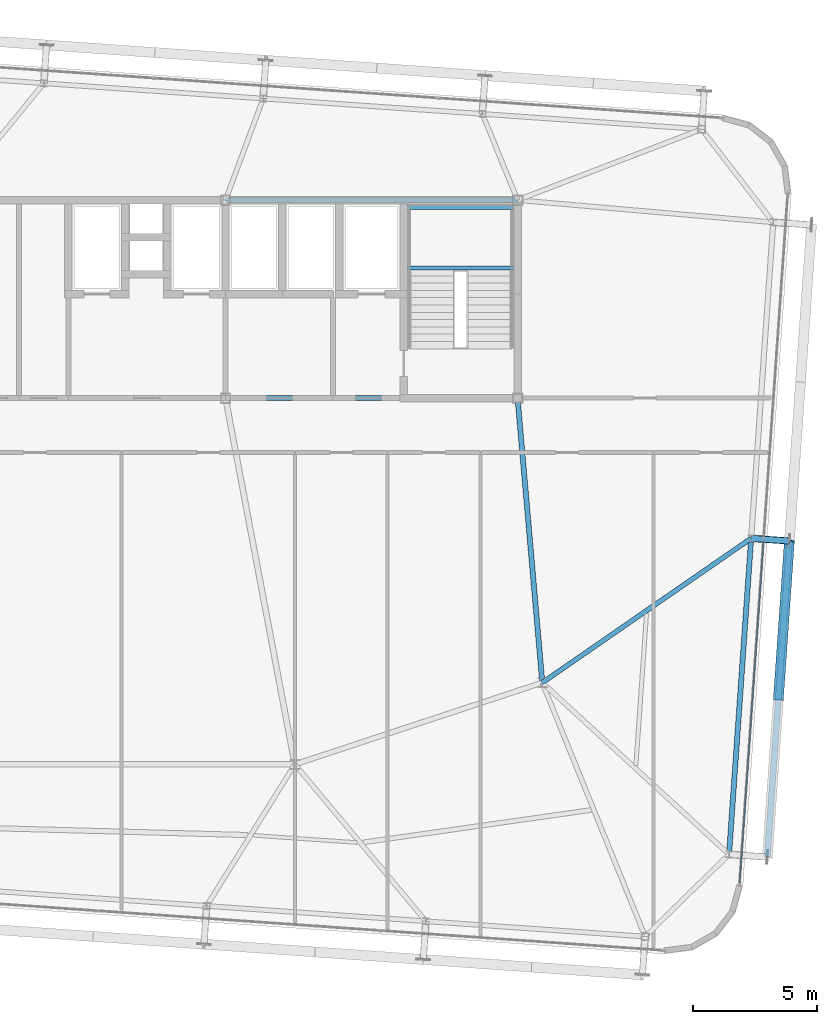
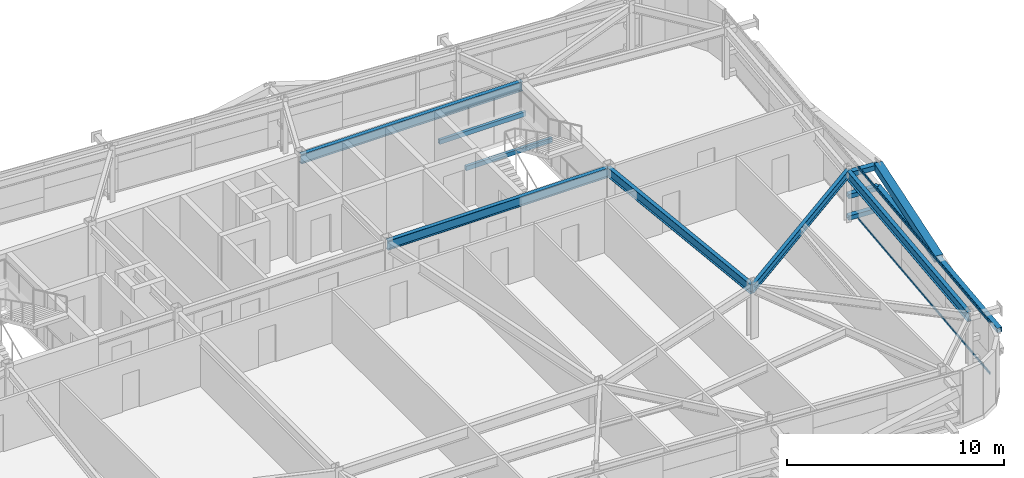
# One storey, part 16 of 39: 7 beams, 7 members, 1 element without a shape of its own.
"""IFC4 building model written with IfcOpenShell, lengths in metres."""

from ifc_helpers import new_model, si_unit, direction, frame, origin, origin_2d, place, context, subcontext, project, spatial, hollow_rectangle, i_section, extrude, source, transform, mapped, material, layer, layer_set, material_profile, profile_set, type_object, element, aggregate, save


model = new_model("IFC4")

# Units and contexts
model_context = context("Model", 3, precision=1e-05, world=origin(), true_north=direction((0.0, 1.0)))
body_context = subcontext(model_context, "Body", "Model", "MODEL_VIEW")
ifc_project = project(units=[si_unit("LENGTHUNIT", "METRE"), si_unit("AREAUNIT", "SQUARE_METRE"), si_unit("VOLUMEUNIT", "CUBIC_METRE"), si_unit("PLANEANGLEUNIT", "RADIAN"), si_unit("MASSUNIT", "GRAM", prefix="KILO")], contexts=[model_context])

# Site, building, storey
site_placement = place(None, origin())
site = spatial("IfcSite", under=ifc_project, at=site_placement, CompositionType="ELEMENT")
building_placement = place(site_placement, origin())
building = spatial("IfcBuilding", under=site, at=building_placement, Name="Taldren Reach Tower", CompositionType="ELEMENT")
storey_placement = place(building_placement, frame((0.0, 0.0, 151.89990234375)))
storey = spatial("IfcBuildingStorey", under=building, at=storey_placement, Name="L46", CompositionType="ELEMENT", Elevation=151.89990234375)

# Beams
ifc_material_1 = material(Name="Steel Gr 350 (350PLUS)", Category="steel")
ifc_material_profile_1 = material_profile(ifc_material_1, i_section(OverallWidth=0.208984375, OverallDepth=0.532958984375, WebThickness=0.01025390625, FlangeThickness=0.015625, at=origin_2d()), Name="530UB92.4")
ifc_profile_set_1 = profile_set([ifc_material_profile_1], Name="Steel Gr 350 (350PLUS)")
beam_type_1 = type_object("IfcBeamType", Name="BM-UB530A", PredefinedType="BEAM", material=ifc_profile_set_1)
shared_shape_1 = source(origin(), body_context, "Body", "SweptSolid", [
    extrude(i_section(OverallWidth=0.208984375, OverallDepth=0.532958984375, WebThickness=0.01025390625, FlangeThickness=0.015625, at=origin_2d()), origin(), (0.0, 0.0, 1.0), 11.800048828125),
])
for number, where, z_axis, x_axis, name in (
    (1, (39.199951171875, 24.0, 2.66357421875), (1.0, 0.0, 0.0), (0.0, 1.0, 0.0), "Core-spine girder L46-SP03"),
    (2, (39.199951171875, 32.0, 2.66357421875), (1.0, 0.0, 0.0), (0.0, 1.0, 0.0), "Core-spine girder L46-SP06"),
):
    element("IfcBeam", number, at=place(storey_placement, frame(where, z_axis=z_axis, x_axis=x_axis)), inside=storey, type_object=beam_type_1, Name=name, PredefinedType="BEAM", context=body_context, shape_type="MappedRepresentation", body=[
        mapped(shared_shape_1, transform((0.0, 0.0, 0.0), scale=1.0)),
    ])
shared_shape_2 = source(origin(), body_context, "Body", "SweptSolid", [
    extrude(i_section(OverallWidth=0.208984375, OverallDepth=0.532958984375, WebThickness=0.01025390625, FlangeThickness=0.015625, at=origin_2d()), origin(), (0.0, 0.0, 1.0), 11.54345703125),
])
beam_1_placement = place(storey_placement, frame((52.0, 12.5, 2.66357421875), z_axis=(-0.086629616365, 0.996240588196, 0.0), x_axis=(-0.996240588196, -0.086629616365, 0.0)))
element("IfcBeam", 3, at=beam_1_placement, inside=storey, type_object=beam_type_1, Name="Core-spine girder L46-SP13", PredefinedType="BEAM", context=body_context, shape_type="MappedRepresentation", body=[
    mapped(shared_shape_2, transform((0.0, 0.0, 0.0), scale=1.0)),
])

# Members
ifc_material_2 = material(Name="Steel Gr 450 (C450L0)", Category="steel")
ifc_material_profile_2 = material_profile(ifc_material_2, hollow_rectangle(XDim=0.27490234375, YDim=0.27490234375, WallThickness=0.00927734375, at=origin_2d()), Name="275x275x9.3SHS")
ifc_profile_set_2 = profile_set([ifc_material_profile_2], Name="Steel Gr 450 (C450L0)")
member_type_1 = type_object("IfcMemberType", Name="MB-TIE273", PredefinedType="STRUT", material=ifc_profile_set_2)
shared_shape_3 = source(origin(), body_context, "Body", "SweptSolid", [
    extrude(hollow_rectangle(XDim=0.27490234375, YDim=0.27490234375, WallThickness=0.00927734375, at=origin_2d()), origin(), (0.0, 0.0, 1.0), 1.5498046875),
])
member_1_placement = place(storey_placement, frame((60.438232421875, 18.331787109375, 2.650146484375), z_axis=(0.997562367434, -0.069780535098, 0.0), x_axis=(0.069780535098, 0.997562367434, 0.0)))
element("IfcMember", 4, at=member_1_placement, inside=storey, type_object=member_type_1, Name="Exoskeleton diaphragm tie strut B3-E2 L46", PredefinedType="STRUT", context=body_context, shape_type="MappedRepresentation", body=[
    mapped(shared_shape_3, transform((0.0, 0.0, 0.0), scale=1.0)),
])
ifc_material_3 = material(Name="Steel Gr 350 (C350L0)", Category="steel")
ifc_material_profile_3 = material_profile(ifc_material_3, hollow_rectangle(XDim=0.25, YDim=0.25, WallThickness=0.010009765625, at=origin_2d()), Name="250x250x10.0SHS")
ifc_profile_set_3 = profile_set([ifc_material_profile_3], Name="Steel Gr 350 (C350L0)")
member_type_2 = type_object("IfcMemberType", Name="MB-POST250", PredefinedType="POST", material=ifc_profile_set_3)
shared_shape_4 = source(origin(), body_context, "Body", "SweptSolid", [
    extrude(hollow_rectangle(XDim=0.25, YDim=0.25, WallThickness=0.010009765625, at=origin_2d()), origin(), (0.0, 0.0, 1.0), 1.5498046875),
])
for number, where, z_axis, x_axis, name in (
    (5, (60.438232421875, 18.331787109375, 0.22021484375), (0.997562367434, -0.069780535098, 0.0), (0.069780535098, 0.997562367434, 0.0), "Exoskeleton base diaphragm tie strut B3-E2 L46"),
    (6, (60.438232421875, 18.331787109375, 1.43505859375), (0.997562367434, -0.069780535098, 0.0), (0.069780535098, 0.997562367434, 0.0), "Exoskeleton mid-tier diaphragm tie B3-E2 L46"),
):
    element("IfcMember", number, at=place(storey_placement, frame(where, z_axis=z_axis, x_axis=x_axis)), inside=storey, type_object=member_type_2, Name=name, PredefinedType="POST", context=body_context, shape_type="MappedRepresentation", body=[
        mapped(shared_shape_4, transform((0.0, 0.0, 0.0), scale=1.0)),
    ])

# Beams
ifc_material_profile_4 = material_profile(ifc_material_1, i_section(OverallWidth=0.208984375, OverallDepth=0.528076171875, WebThickness=0.009521484375, FlangeThickness=0.01318359375, at=origin_2d()), Name="530UB82.0")
ifc_profile_set_4 = profile_set([ifc_material_profile_4], Name="Steel Gr 350 (350PLUS)")
beam_type_2 = type_object("IfcBeamType", Name="SP-UB530B", PredefinedType="SPANDREL", material=ifc_profile_set_4)
shared_shape_5 = source(origin(), body_context, "Body", "SweptSolid", [
    extrude(i_section(OverallWidth=0.208984375, OverallDepth=0.528076171875, WebThickness=0.009521484375, FlangeThickness=0.01318359375, at=origin_2d()), origin(), (0.0, 0.0, 1.0), 12.80029296875),
])
beam_2_placement = place(storey_placement, frame((59.54541015625, 5.562744140625, 2.666015625), z_axis=(0.069750549628, 0.997564464497, 0.0), x_axis=(-0.997564464497, 0.069750549628, 0.0)))
element("IfcBeam", 7, at=beam_2_placement, inside=storey, type_object=beam_type_2, Name="Perimeter spandrel B3 E1-E2 L46", PredefinedType="SPANDREL", context=body_context, shape_type="MappedRepresentation", body=[
    mapped(shared_shape_5, transform((0.0, 0.0, 0.0), scale=1.0)),
])
ifc_material_profile_5 = material_profile(ifc_material_1, i_section(OverallWidth=0.19091796875, OverallDepth=0.4599609375, WebThickness=0.010009765625, FlangeThickness=0.01611328125, at=origin_2d()), Name="460UB82.1")
ifc_profile_set_5 = profile_set([ifc_material_profile_5], Name="Steel Gr 350 (350PLUS)")
beam_type_3 = type_object("IfcBeamType", Name="BM-UB460A", PredefinedType="BEAM", material=ifc_profile_set_5)
shared_shape_6 = source(origin(), body_context, "Body", "SweptSolid", [
    extrude(i_section(OverallWidth=0.19091796875, OverallDepth=0.4599609375, WebThickness=0.010009765625, FlangeThickness=0.01611328125, at=origin_2d()), origin(), (0.0, 0.0, 1.0), 10.25732421875),
])
beam_3_placement = place(storey_placement, frame((52.0, 12.5, 2.7001953125), z_axis=(0.822651197727, 0.568546398175, 0.0), x_axis=(-0.568546398175, 0.822651197727, 0.0)))
element("IfcBeam", 8, at=beam_3_placement, inside=storey, type_object=beam_type_3, Name="Primary floor girder B3-E2 L46", PredefinedType="BEAM", context=body_context, shape_type="MappedRepresentation", body=[
    mapped(shared_shape_6, transform((0.0, 0.0, 0.0), scale=1.0)),
])

# Members
shared_shape_7 = source(origin(), body_context, "Body", "SweptSolid", [
    extrude(hollow_rectangle(XDim=0.25, YDim=0.25, WallThickness=0.010009765625, at=origin_2d()), origin(), (0.0, 0.0, 1.0), 12.800048828125),
])
member_2_placement = place(storey_placement, frame((61.091552734375, 5.454833984375, 1.43505859375), z_axis=(0.069751876777, 0.9975643717, 0.0), x_axis=(-0.9975643717, 0.069751876777, 0.0)))
element("IfcMember", 9, at=member_2_placement, inside=storey, type_object=member_type_2, Name="Exoskeleton mid-height ring chord B3-E1 L46", PredefinedType="POST", context=body_context, shape_type="MappedRepresentation", body=[
    mapped(shared_shape_7, transform((0.0, 0.0, 0.0), scale=1.0)),
])
ifc_material_profile_6 = material_profile(ifc_material_2, hollow_rectangle(XDim=0.409912109375, YDim=0.409912109375, WallThickness=0.01611328125, at=origin_2d()), Name="410x410x16.0SHS")
ifc_profile_set_6 = profile_set([ifc_material_profile_6], Name="Steel Gr 450 (C450L0)")
member_type_3 = type_object("IfcMemberType", Name="MB-EXO406", PredefinedType="BRACE", material=ifc_profile_set_6)
shared_shape_8 = source(origin(), body_context, "Body", "SweptSolid", [
    extrude(hollow_rectangle(XDim=0.409912109375, YDim=0.409912109375, WallThickness=0.01611328125, at=origin_2d()), origin(), (0.0, 0.0, 1.0), 6.514404296875),
])
member_3_placement = place(storey_placement, frame((61.5380859375, 11.839111328125, 1.43505859375), z_axis=(0.068507825937, 0.980059166346, 0.186522674885), x_axis=(-0.997565791441, 0.069731569223, 0.0)))
element("IfcMember", 10, at=member_3_placement, inside=storey, type_object=member_type_3, Name="Exoskeleton Diagrid Brace B3-E1 L46", PredefinedType="BRACE", context=body_context, shape_type="MappedRepresentation", body=[
    mapped(shared_shape_8, transform((0.0, 0.0, 0.0), scale=1.0)),
])

# Curtain wall, members
ifc_material_4 = material(Name="Aluminium and Low-E Glass Unitised System", Category="aluminium")
ifc_layer = layer(ifc_material_4, 0.159912109375)
ifc_layer_set = layer_set([ifc_layer], Name="Aluminium and Low-E Glass Unitised System")
curtain_wall_type = type_object("IfcCurtainWallType", Name="CW-SYS-4", PredefinedType="NOTDEFINED", material=ifc_layer_set)
curtain_wall_placement = place(storey_placement, origin())
curtain_wall = element("IfcCurtainWall", 11, at=curtain_wall_placement, inside=storey, type_object=curtain_wall_type, Name="Unitised curtain wall CW-L46-E", PredefinedType="NOTDEFINED")
ifc_material_5 = material(Name="Anodised Aluminium 6063-T6", Category="aluminium")
ifc_material_profile_7 = material_profile(ifc_material_5, hollow_rectangle(XDim=0.054931640625, YDim=0.1201171875, WallThickness=0.0029296875, at=origin_2d()), Name="ALU-120x55x3RHS")
ifc_profile_set_7 = profile_set([ifc_material_profile_7], Name="Anodised Aluminium 6063-T6")
member_type_4 = type_object("IfcMemberType", Name="CW-TRN-135", PredefinedType="USERDEFINED", material=ifc_profile_set_7)
shared_shape_9 = source(origin(), body_context, "Body", "SweptSolid", [
    extrude(hollow_rectangle(XDim=0.054931640625, YDim=0.1201171875, WallThickness=0.0029296875, at=origin_2d()), origin(), (0.0, 0.0, 1.0), 13.89501953125),
])
member_4_placement = place(storey_placement, frame((59.975341796875, 4.400146484375, 0.027587890625), z_axis=(0.069754817075, 0.997564166104, 0.0), x_axis=(-0.997564166104, 0.069754817075, 0.0)))
member_4 = element("IfcMember", 12, at=member_4_placement, type_object=member_type_4, Name="CW-4 transom 1.1", ObjectType="TRANSOM", PredefinedType="USERDEFINED", context=body_context, shape_type="MappedRepresentation", body=[
    mapped(shared_shape_9, transform((0.0, 0.0, 0.0), scale=1.0)),
])
member_5_placement = place(storey_placement, frame((59.975341796875, 4.400146484375, 2.902587890625), z_axis=(0.069754817075, 0.997564166104, 0.0), x_axis=(-0.997564166104, 0.069754817075, 0.0)))
member_5 = element("IfcMember", 13, at=member_5_placement, type_object=member_type_4, Name="CW-4 transom 1.2", ObjectType="TRANSOM", PredefinedType="USERDEFINED", context=body_context, shape_type="MappedRepresentation", body=[
    mapped(shared_shape_9, transform((0.0, 0.0, 0.0), scale=1.0)),
])
aggregate(curtain_wall, [member_4, member_5])

# Beams
ifc_material_profile_8 = material_profile(ifc_material_3, hollow_rectangle(XDim=0.14990234375, YDim=0.25, WallThickness=0.009033203125, at=origin_2d()), Name="250x150x9.0RHS")
ifc_profile_set_8 = profile_set([ifc_material_profile_8], Name="Steel Gr 350 (C350L0)")
beam_type_4 = type_object("IfcBeamType", Name="LN-RHS250", PredefinedType="LINTEL", material=ifc_profile_set_8)
shared_shape_10 = source(origin(), body_context, "Body", "SweptSolid", [
    extrude(hollow_rectangle(XDim=0.14990234375, YDim=0.25, WallThickness=0.009033203125, at=origin_2d()), origin(), (0.0, 0.0, 1.0), 4.60009765625),
])
for number, where, z_axis, x_axis, name in (
    (14, (46.39990234375, 29.2548828125, 1.27001953125), (1.0, 0.0, 0.0), (0.0, 1.0, 0.0), "Stair half-landing support beam ST2-L46-1"),
    (15, (46.39990234375, 31.699951171875, 1.27001953125), (1.0, 0.0, 0.0), (0.0, 1.0, 0.0), "Stair half-landing support beam ST2-L46-2"),
):
    element("IfcBeam", number, at=place(storey_placement, frame(where, z_axis=z_axis, x_axis=x_axis)), inside=storey, type_object=beam_type_4, Name=name, PredefinedType="LINTEL", context=body_context, shape_type="MappedRepresentation", body=[
        mapped(shared_shape_10, transform((0.0, 0.0, 0.0), scale=1.0)),
    ])

save(model, "model.ifc")
